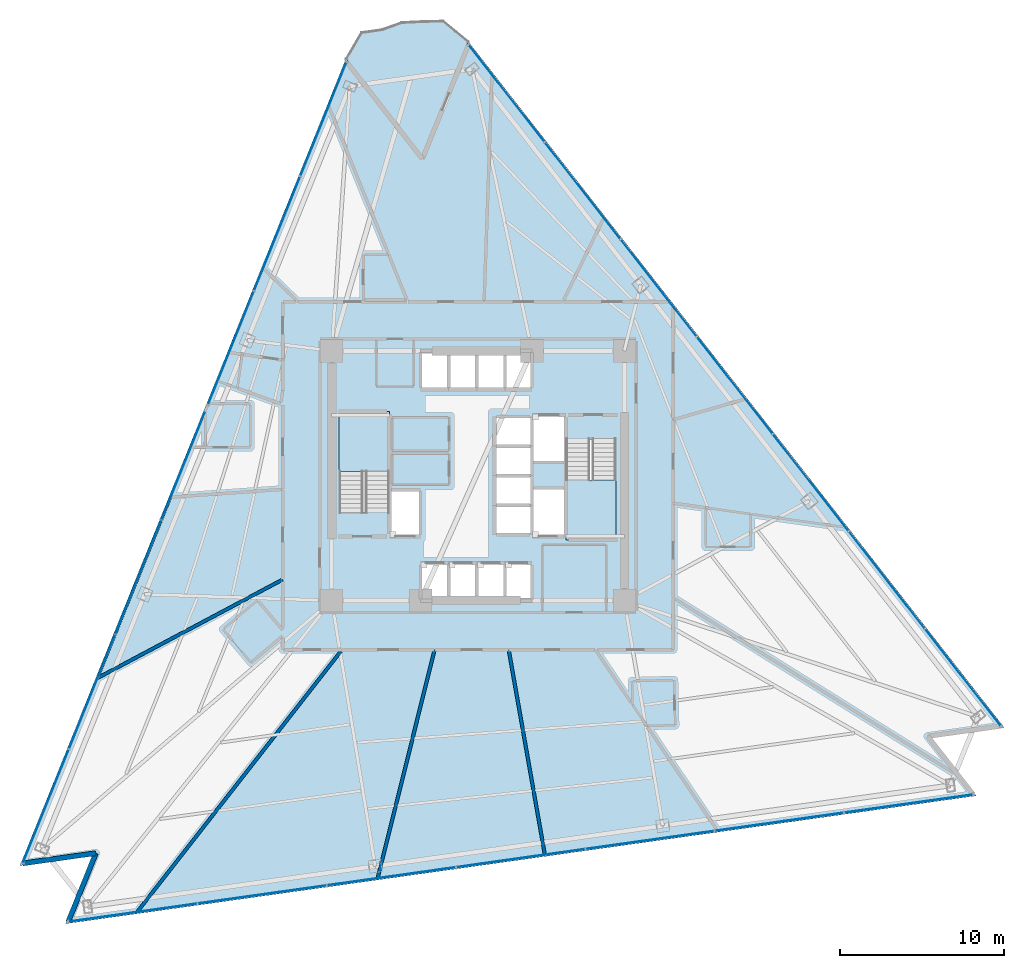
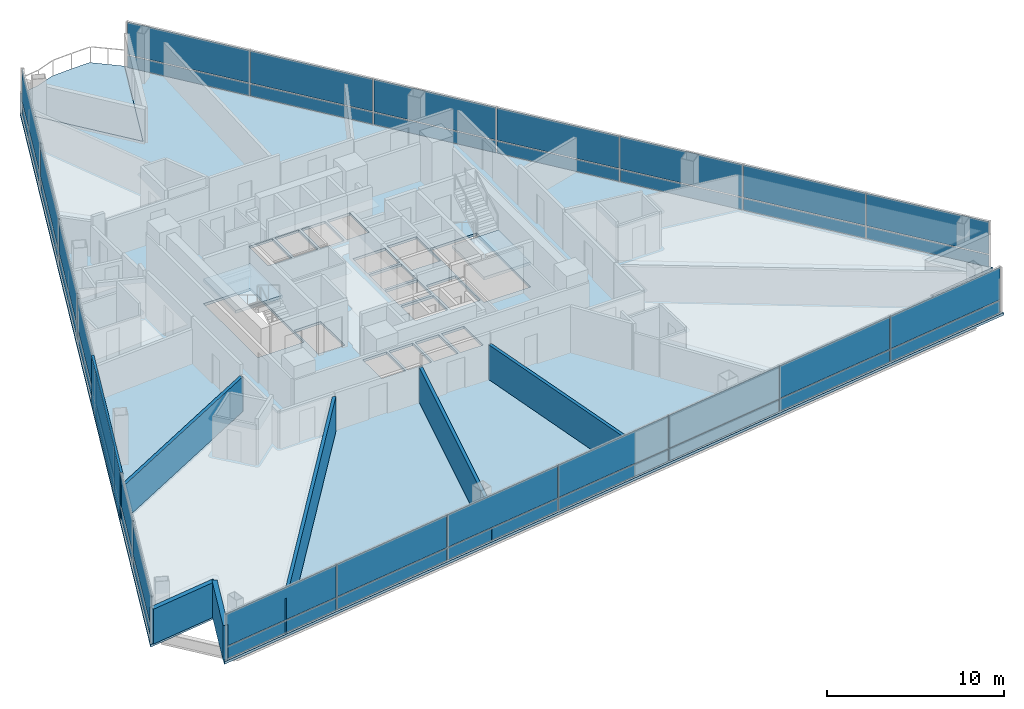
# One storey, part 6 of 15: 42 plates, 7 walls, 4 slabs, 5 elements without a shape of their own.
"""IFC4 building model written with IfcOpenShell, lengths in metres."""

from ifc_helpers import new_model, si_unit, direction, frame, frame_2d, origin, origin_2d, place, context, subcontext, project, spatial, polyline, rectangle, outline, extrude, material, layer, layer_set, type_object, element, aggregate, save


model = new_model("IFC4")

# Units and contexts
model_context = context("Model", 3, precision=1e-05, world=origin(), true_north=direction((0.0, 1.0)))
body_context = subcontext(model_context, "Body", "Model", "MODEL_VIEW")
ifc_project = project(units=[si_unit("LENGTHUNIT", "METRE"), si_unit("AREAUNIT", "SQUARE_METRE"), si_unit("VOLUMEUNIT", "CUBIC_METRE"), si_unit("PLANEANGLEUNIT", "RADIAN"), si_unit("MASSUNIT", "GRAM", prefix="KILO")], contexts=[model_context])

# Site, building, storey
site_placement = place(None, origin())
site = spatial("IfcSite", under=ifc_project, at=site_placement, CompositionType="ELEMENT")
building_placement = place(site_placement, origin())
building = spatial("IfcBuilding", under=site, at=building_placement, Name="Tharavind Bronze Gate", CompositionType="ELEMENT")
storey_placement = place(building_placement, frame((0.0, 0.0, 77.64990234375)))
storey = spatial("IfcBuildingStorey", under=building, at=storey_placement, Name="L19", CompositionType="ELEMENT", Elevation=77.64990234375)

# Curtain wall, plates
ifc_material_1 = material(Name="Anodised Bronze Aluminium", Category="aluminium")
ifc_layer_1 = layer(ifc_material_1, 0.219970703125)
ifc_layer_set_1 = layer_set([ifc_layer_1], Name="Anodised Bronze Aluminium")
curtain_wall_type = type_object("IfcCurtainWallType", Name="UNITISED CURTAIN WALL HOTEL", PredefinedType="USERDEFINED", material=ifc_layer_set_1)
curtain_wall_1_placement = place(storey_placement, origin())
curtain_wall_1 = element("IfcCurtainWall", 1, at=curtain_wall_1_placement, inside=storey, type_object=curtain_wall_type, Name="L19 unitised curtain wall hotel CW-L19-S1", ObjectType="UNITISED CURTAIN WALL", PredefinedType="USERDEFINED")
ifc_material_2 = material(Name="Patinated Bronze Alloy Sheet", Category="bronze")
ifc_layer_2 = layer(ifc_material_2, 0.01611328125)
ifc_layer_set_2 = layer_set([ifc_layer_2], Name="Patinated Bronze Alloy Sheet")
plate_type_1 = type_object("IfcPlateType", Name="BRONZE SPANDREL CLADDING PANEL 16", PredefinedType="CURTAIN_PANEL", material=ifc_layer_set_2)
plate_1_placement = place(storey_placement, frame((-9.408203125, 21.69921875, 0.0341796875), z_axis=(0.0, 0.0, 1.0), x_axis=(-0.374606593416, -0.927183854567, 0.0)))
plate_1 = element("IfcPlate", 2, at=plate_1_placement, type_object=plate_type_1, Name="CW-L19-S1 bronze spandrel panel 1", PredefinedType="CURTAIN_PANEL", context=body_context, shape_type="SweptSolid", body=[
    extrude(rectangle(XDim=7.447021484375, YDim=0.01611328125, at=origin_2d()), origin(), (0.0, 0.0, 1.0), 0.83203125),
])
plate_2_placement = place(storey_placement, frame((-12.223388671875, 14.731201171875, 0.0341796875), z_axis=(0.0, 0.0, 1.0), x_axis=(-0.374606593416, -0.927183854567, 0.0)))
plate_2 = element("IfcPlate", 3, at=plate_2_placement, type_object=plate_type_1, Name="CW-L19-S1 bronze spandrel panel 2", PredefinedType="CURTAIN_PANEL", context=body_context, shape_type="SweptSolid", body=[
    extrude(rectangle(XDim=7.447021484375, YDim=0.01611328125, at=origin_2d()), origin(), (0.0, 0.0, 1.0), 0.83203125),
])
plate_3_placement = place(storey_placement, frame((-15.038818359375, 7.763427734375, 0.0341796875), z_axis=(0.0, 0.0, 1.0), x_axis=(-0.374606593416, -0.927183854567, 0.0)))
plate_3 = element("IfcPlate", 4, at=plate_3_placement, type_object=plate_type_1, Name="CW-L19-S1 bronze spandrel panel 3", PredefinedType="CURTAIN_PANEL", context=body_context, shape_type="SweptSolid", body=[
    extrude(rectangle(XDim=7.447021484375, YDim=0.01611328125, at=origin_2d()), origin(), (0.0, 0.0, 1.0), 0.83203125),
])
plate_4_placement = place(storey_placement, frame((-17.85400390625, 0.795654296875, 0.0341796875), z_axis=(0.0, 0.0, 1.0), x_axis=(-0.374606593416, -0.927183854567, 0.0)))
plate_4 = element("IfcPlate", 5, at=plate_4_placement, type_object=plate_type_1, Name="CW-L19-S1 bronze spandrel panel 4", PredefinedType="CURTAIN_PANEL", context=body_context, shape_type="SweptSolid", body=[
    extrude(rectangle(XDim=7.447021484375, YDim=0.01611328125, at=origin_2d()), origin(), (0.0, 0.0, 1.0), 0.83203125),
])
plate_5_placement = place(storey_placement, frame((-20.669189453125, -6.17236328125, 0.0341796875), z_axis=(0.0, 0.0, 1.0), x_axis=(-0.374606593416, -0.927183854567, 0.0)))
plate_5 = element("IfcPlate", 6, at=plate_5_placement, type_object=plate_type_1, Name="CW-L19-S1 bronze spandrel panel 5", PredefinedType="CURTAIN_PANEL", context=body_context, shape_type="SweptSolid", body=[
    extrude(rectangle(XDim=7.447021484375, YDim=0.01611328125, at=origin_2d()), origin(), (0.0, 0.0, 1.0), 0.83203125),
])
plate_6_placement = place(storey_placement, frame((-23.484375, -13.14013671875, 0.0341796875), z_axis=(0.0, 0.0, 1.0), x_axis=(-0.374606593416, -0.927183854567, 0.0)))
plate_6 = element("IfcPlate", 7, at=plate_6_placement, type_object=plate_type_1, Name="CW-L19-S1 bronze spandrel panel 6", PredefinedType="CURTAIN_PANEL", context=body_context, shape_type="SweptSolid", body=[
    extrude(rectangle(XDim=7.447021484375, YDim=0.01611328125, at=origin_2d()), origin(), (0.0, 0.0, 1.0), 0.83203125),
])
plate_7_placement = place(storey_placement, frame((-26.299560546875, -20.10791015625, 0.0341796875), z_axis=(0.0, 0.0, 1.0), x_axis=(-0.374606593416, -0.927183854567, 0.0)))
plate_7 = element("IfcPlate", 8, at=plate_7_placement, type_object=plate_type_1, Name="CW-L19-S1 bronze spandrel panel 7", PredefinedType="CURTAIN_PANEL", context=body_context, shape_type="SweptSolid", body=[
    extrude(rectangle(XDim=7.447021484375, YDim=0.01611328125, at=origin_2d()), origin(), (0.0, 0.0, 1.0), 0.83203125),
])

curtain_wall_2_placement = place(storey_placement, origin())
curtain_wall_2 = element("IfcCurtainWall", 9, at=curtain_wall_2_placement, inside=storey, type_object=curtain_wall_type, Name="L19 unitised curtain wall hotel CW-L19-S2", ObjectType="UNITISED CURTAIN WALL", PredefinedType="USERDEFINED")
plate_8_placement = place(storey_placement, frame((-21.00341796875, -26.585205078125, 0.0341796875), z_axis=(0.0, 0.0, 1.0), x_axis=(0.990268068742, 0.13917310096, 0.0)))
plate_8 = element("IfcPlate", 10, at=plate_8_placement, type_object=plate_type_1, Name="CW-L19-S2 bronze spandrel panel 1", PredefinedType="CURTAIN_PANEL", context=body_context, shape_type="SweptSolid", body=[
    extrude(rectangle(XDim=7.87548828125, YDim=0.01611328125, at=origin_2d()), origin(), (0.0, 0.0, 1.0), 0.83203125),
])
plate_9_placement = place(storey_placement, frame((-13.13720703125, -25.4794921875, 0.0341796875), z_axis=(0.0, 0.0, 1.0), x_axis=(0.990268068742, 0.13917310096, 0.0)))
plate_9 = element("IfcPlate", 11, at=plate_9_placement, type_object=plate_type_1, Name="CW-L19-S2 bronze spandrel panel 2", PredefinedType="CURTAIN_PANEL", context=body_context, shape_type="SweptSolid", body=[
    extrude(rectangle(XDim=7.87548828125, YDim=0.01611328125, at=origin_2d()), origin(), (0.0, 0.0, 1.0), 0.83203125),
])
plate_10_placement = place(storey_placement, frame((-5.270751953125, -24.3740234375, 0.0341796875), z_axis=(0.0, 0.0, 1.0), x_axis=(0.990268068742, 0.13917310096, 0.0)))
plate_10 = element("IfcPlate", 12, at=plate_10_placement, type_object=plate_type_1, Name="CW-L19-S2 bronze spandrel panel 3", PredefinedType="CURTAIN_PANEL", context=body_context, shape_type="SweptSolid", body=[
    extrude(rectangle(XDim=7.87548828125, YDim=0.01611328125, at=origin_2d()), origin(), (0.0, 0.0, 1.0), 0.83203125),
])
plate_11_placement = place(storey_placement, frame((2.595703125, -23.2685546875, 0.0341796875), z_axis=(0.0, 0.0, 1.0), x_axis=(0.990268068742, 0.13917310096, 0.0)))
plate_11 = element("IfcPlate", 13, at=plate_11_placement, type_object=plate_type_1, Name="CW-L19-S2 bronze spandrel panel 4", PredefinedType="CURTAIN_PANEL", context=body_context, shape_type="SweptSolid", body=[
    extrude(rectangle(XDim=7.87548828125, YDim=0.01611328125, at=origin_2d()), origin(), (0.0, 0.0, 1.0), 0.83203125),
])
plate_12_placement = place(storey_placement, frame((10.4619140625, -22.1630859375, 0.0341796875), z_axis=(0.0, 0.0, 1.0), x_axis=(0.990268068742, 0.13917310096, 0.0)))
plate_12 = element("IfcPlate", 14, at=plate_12_placement, type_object=plate_type_1, Name="CW-L19-S2 bronze spandrel panel 5", PredefinedType="CURTAIN_PANEL", context=body_context, shape_type="SweptSolid", body=[
    extrude(rectangle(XDim=7.87548828125, YDim=0.01611328125, at=origin_2d()), origin(), (0.0, 0.0, 1.0), 0.83203125),
])
plate_13_placement = place(storey_placement, frame((18.328369140625, -21.057373046875, 0.0341796875), z_axis=(0.0, 0.0, 1.0), x_axis=(0.990268068742, 0.13917310096, 0.0)))
plate_13 = element("IfcPlate", 15, at=plate_13_placement, type_object=plate_type_1, Name="CW-L19-S2 bronze spandrel panel 6", PredefinedType="CURTAIN_PANEL", context=body_context, shape_type="SweptSolid", body=[
    extrude(rectangle(XDim=7.87548828125, YDim=0.01611328125, at=origin_2d()), origin(), (0.0, 0.0, 1.0), 0.83203125),
])
plate_14_placement = place(storey_placement, frame((26.194580078125, -19.951904296875, 0.0341796875), z_axis=(0.0, 0.0, 1.0), x_axis=(0.990268068742, 0.13917310096, 0.0)))
plate_14 = element("IfcPlate", 16, at=plate_14_placement, type_object=plate_type_1, Name="CW-L19-S2 bronze spandrel panel 7", PredefinedType="CURTAIN_PANEL", context=body_context, shape_type="SweptSolid", body=[
    extrude(rectangle(XDim=7.87548828125, YDim=0.01611328125, at=origin_2d()), origin(), (0.0, 0.0, 1.0), 0.83203125),
])

curtain_wall_3_placement = place(storey_placement, origin())
curtain_wall_3 = element("IfcCurtainWall", 17, at=curtain_wall_3_placement, inside=storey, type_object=curtain_wall_type, Name="L19 unitised curtain wall hotel CW-L19-S3", ObjectType="UNITISED CURTAIN WALL", PredefinedType="USERDEFINED")
plate_15_placement = place(storey_placement, frame((29.5, -12.265869140625, 0.0341796875), z_axis=(0.0, 0.0, 1.0), x_axis=(-0.615661475326, 0.788010753607, 0.0)))
plate_15 = element("IfcPlate", 18, at=plate_15_placement, type_object=plate_type_1, Name="CW-L19-S3 bronze spandrel panel 1", PredefinedType="CURTAIN_PANEL", context=body_context, shape_type="SweptSolid", body=[
    extrude(rectangle(XDim=7.447021484375, YDim=0.01611328125, at=origin_2d()), origin(), (0.0, 0.0, 1.0), 0.83203125),
])
plate_16_placement = place(storey_placement, frame((24.873291015625, -6.343994140625, 0.0341796875), z_axis=(0.0, 0.0, 1.0), x_axis=(-0.615661475326, 0.788010753607, 0.0)))
plate_16 = element("IfcPlate", 19, at=plate_16_placement, type_object=plate_type_1, Name="CW-L19-S3 bronze spandrel panel 2", PredefinedType="CURTAIN_PANEL", context=body_context, shape_type="SweptSolid", body=[
    extrude(rectangle(XDim=7.447021484375, YDim=0.01611328125, at=origin_2d()), origin(), (0.0, 0.0, 1.0), 0.83203125),
])
plate_17_placement = place(storey_placement, frame((20.24658203125, -0.421875, 0.0341796875), z_axis=(0.0, 0.0, 1.0), x_axis=(-0.615661475326, 0.788010753607, 0.0)))
plate_17 = element("IfcPlate", 20, at=plate_17_placement, type_object=plate_type_1, Name="CW-L19-S3 bronze spandrel panel 3", PredefinedType="CURTAIN_PANEL", context=body_context, shape_type="SweptSolid", body=[
    extrude(rectangle(XDim=7.447021484375, YDim=0.01611328125, at=origin_2d()), origin(), (0.0, 0.0, 1.0), 0.83203125),
])
plate_18_placement = place(storey_placement, frame((15.619873046875, 5.5, 0.0341796875), z_axis=(0.0, 0.0, 1.0), x_axis=(-0.615661475326, 0.788010753607, 0.0)))
plate_18 = element("IfcPlate", 21, at=plate_18_placement, type_object=plate_type_1, Name="CW-L19-S3 bronze spandrel panel 4", PredefinedType="CURTAIN_PANEL", context=body_context, shape_type="SweptSolid", body=[
    extrude(rectangle(XDim=7.447021484375, YDim=0.01611328125, at=origin_2d()), origin(), (0.0, 0.0, 1.0), 0.83203125),
])
plate_19_placement = place(storey_placement, frame((10.9931640625, 11.422119140625, 0.0341796875), z_axis=(0.0, 0.0, 1.0), x_axis=(-0.615661475326, 0.788010753607, 0.0)))
plate_19 = element("IfcPlate", 22, at=plate_19_placement, type_object=plate_type_1, Name="CW-L19-S3 bronze spandrel panel 5", PredefinedType="CURTAIN_PANEL", context=body_context, shape_type="SweptSolid", body=[
    extrude(rectangle(XDim=7.447021484375, YDim=0.01611328125, at=origin_2d()), origin(), (0.0, 0.0, 1.0), 0.83203125),
])
plate_20_placement = place(storey_placement, frame((6.366455078125, 17.343994140625, 0.0341796875), z_axis=(0.0, 0.0, 1.0), x_axis=(-0.615661475326, 0.788010753607, 0.0)))
plate_20 = element("IfcPlate", 23, at=plate_20_placement, type_object=plate_type_1, Name="CW-L19-S3 bronze spandrel panel 6", PredefinedType="CURTAIN_PANEL", context=body_context, shape_type="SweptSolid", body=[
    extrude(rectangle(XDim=7.447021484375, YDim=0.01611328125, at=origin_2d()), origin(), (0.0, 0.0, 1.0), 0.83203125),
])
plate_21_placement = place(storey_placement, frame((1.73974609375, 23.265869140625, 0.0341796875), z_axis=(0.0, 0.0, 1.0), x_axis=(-0.615661475326, 0.788010753607, 0.0)))
plate_21 = element("IfcPlate", 24, at=plate_21_placement, type_object=plate_type_1, Name="CW-L19-S3 bronze spandrel panel 7", PredefinedType="CURTAIN_PANEL", context=body_context, shape_type="SweptSolid", body=[
    extrude(rectangle(XDim=7.447021484375, YDim=0.01611328125, at=origin_2d()), origin(), (0.0, 0.0, 1.0), 0.83203125),
])

# Plate
ifc_material_3 = material(Name="Low-E Double Glazing", Category="glass")
ifc_layer_3 = layer(ifc_material_3, 0.031982421875)
ifc_layer_set_3 = layer_set([ifc_layer_3], Name="Low-E Double Glazing")
plate_type_2 = type_object("IfcPlateType", Name="DOUBLE GLAZED FACADE PANEL 32", PredefinedType="CURTAIN_PANEL", material=ifc_layer_set_3)
plate_22_placement = place(storey_placement, frame((-9.408203125, 21.69921875, 0.93408203125), z_axis=(0.0, 0.0, 1.0), x_axis=(-0.374606593416, -0.927183854567, 0.0)))
plate_22 = element("IfcPlate", 25, at=plate_22_placement, type_object=plate_type_2, Name="CW-L19-S1 vision glazing panel 1", PredefinedType="CURTAIN_PANEL", context=body_context, shape_type="SweptSolid", body=[
    extrude(rectangle(XDim=7.447021484375, YDim=0.031982421875, at=origin_2d()), origin(), (0.0, 0.0, 1.0), 2.241943359375),
])

plate_23_placement = place(storey_placement, frame((-12.223388671875, 14.731201171875, 0.93408203125), z_axis=(0.0, 0.0, 1.0), x_axis=(-0.374606593416, -0.927183854567, 0.0)))
plate_23 = element("IfcPlate", 26, at=plate_23_placement, type_object=plate_type_2, Name="CW-L19-S1 vision glazing panel 2", PredefinedType="CURTAIN_PANEL", context=body_context, shape_type="SweptSolid", body=[
    extrude(rectangle(XDim=7.447021484375, YDim=0.031982421875, at=origin_2d()), origin(), (0.0, 0.0, 1.0), 2.241943359375),
])

plate_24_placement = place(storey_placement, frame((-15.038818359375, 7.763427734375, 0.93408203125), z_axis=(0.0, 0.0, 1.0), x_axis=(-0.374606593416, -0.927183854567, 0.0)))
plate_24 = element("IfcPlate", 27, at=plate_24_placement, type_object=plate_type_2, Name="CW-L19-S1 vision glazing panel 3", PredefinedType="CURTAIN_PANEL", context=body_context, shape_type="SweptSolid", body=[
    extrude(rectangle(XDim=7.447021484375, YDim=0.031982421875, at=origin_2d()), origin(), (0.0, 0.0, 1.0), 2.241943359375),
])

plate_25_placement = place(storey_placement, frame((-17.85400390625, 0.795654296875, 0.93408203125), z_axis=(0.0, 0.0, 1.0), x_axis=(-0.374606593416, -0.927183854567, 0.0)))
plate_25 = element("IfcPlate", 28, at=plate_25_placement, type_object=plate_type_2, Name="CW-L19-S1 vision glazing panel 4", PredefinedType="CURTAIN_PANEL", context=body_context, shape_type="SweptSolid", body=[
    extrude(rectangle(XDim=7.447021484375, YDim=0.031982421875, at=origin_2d()), origin(), (0.0, 0.0, 1.0), 2.241943359375),
])

plate_26_placement = place(storey_placement, frame((-20.669189453125, -6.17236328125, 0.93408203125), z_axis=(0.0, 0.0, 1.0), x_axis=(-0.374606593416, -0.927183854567, 0.0)))
plate_26 = element("IfcPlate", 29, at=plate_26_placement, type_object=plate_type_2, Name="CW-L19-S1 vision glazing panel 5", PredefinedType="CURTAIN_PANEL", context=body_context, shape_type="SweptSolid", body=[
    extrude(rectangle(XDim=7.447021484375, YDim=0.031982421875, at=origin_2d()), origin(), (0.0, 0.0, 1.0), 2.241943359375),
])

plate_27_placement = place(storey_placement, frame((-23.484375, -13.14013671875, 0.93408203125), z_axis=(0.0, 0.0, 1.0), x_axis=(-0.374606593416, -0.927183854567, 0.0)))
plate_27 = element("IfcPlate", 30, at=plate_27_placement, type_object=plate_type_2, Name="CW-L19-S1 vision glazing panel 6", PredefinedType="CURTAIN_PANEL", context=body_context, shape_type="SweptSolid", body=[
    extrude(rectangle(XDim=7.447021484375, YDim=0.031982421875, at=origin_2d()), origin(), (0.0, 0.0, 1.0), 2.241943359375),
])

plate_28_placement = place(storey_placement, frame((-26.299560546875, -20.10791015625, 0.93408203125), z_axis=(0.0, 0.0, 1.0), x_axis=(-0.374606593416, -0.927183854567, 0.0)))
plate_28 = element("IfcPlate", 31, at=plate_28_placement, type_object=plate_type_2, Name="CW-L19-S1 vision glazing panel 7", PredefinedType="CURTAIN_PANEL", context=body_context, shape_type="SweptSolid", body=[
    extrude(rectangle(XDim=7.447021484375, YDim=0.031982421875, at=origin_2d()), origin(), (0.0, 0.0, 1.0), 2.241943359375),
])

aggregate(curtain_wall_1, [plate_1, plate_22, plate_2, plate_23, plate_3, plate_24, plate_4, plate_25, plate_5, plate_26, plate_6, plate_27, plate_7, plate_28])

plate_29_placement = place(storey_placement, frame((-21.00341796875, -26.585205078125, 0.93408203125), z_axis=(0.0, 0.0, 1.0), x_axis=(0.990268068742, 0.13917310096, 0.0)))
plate_29 = element("IfcPlate", 32, at=plate_29_placement, type_object=plate_type_2, Name="CW-L19-S2 vision glazing panel 1", PredefinedType="CURTAIN_PANEL", context=body_context, shape_type="SweptSolid", body=[
    extrude(rectangle(XDim=7.87548828125, YDim=0.031982421875, at=origin_2d()), origin(), (0.0, 0.0, 1.0), 2.241943359375),
])

plate_30_placement = place(storey_placement, frame((-13.13720703125, -25.4794921875, 0.93408203125), z_axis=(0.0, 0.0, 1.0), x_axis=(0.990268068742, 0.13917310096, 0.0)))
plate_30 = element("IfcPlate", 33, at=plate_30_placement, type_object=plate_type_2, Name="CW-L19-S2 vision glazing panel 2", PredefinedType="CURTAIN_PANEL", context=body_context, shape_type="SweptSolid", body=[
    extrude(rectangle(XDim=7.87548828125, YDim=0.031982421875, at=origin_2d()), origin(), (0.0, 0.0, 1.0), 2.241943359375),
])

plate_31_placement = place(storey_placement, frame((-5.270751953125, -24.3740234375, 0.93408203125), z_axis=(0.0, 0.0, 1.0), x_axis=(0.990268068742, 0.13917310096, 0.0)))
plate_31 = element("IfcPlate", 34, at=plate_31_placement, type_object=plate_type_2, Name="CW-L19-S2 vision glazing panel 3", PredefinedType="CURTAIN_PANEL", context=body_context, shape_type="SweptSolid", body=[
    extrude(rectangle(XDim=7.87548828125, YDim=0.031982421875, at=origin_2d()), origin(), (0.0, 0.0, 1.0), 2.241943359375),
])

plate_32_placement = place(storey_placement, frame((2.595703125, -23.2685546875, 0.93408203125), z_axis=(0.0, 0.0, 1.0), x_axis=(0.990268068742, 0.13917310096, 0.0)))
plate_32 = element("IfcPlate", 35, at=plate_32_placement, type_object=plate_type_2, Name="CW-L19-S2 vision glazing panel 4", PredefinedType="CURTAIN_PANEL", context=body_context, shape_type="SweptSolid", body=[
    extrude(rectangle(XDim=7.87548828125, YDim=0.031982421875, at=origin_2d()), origin(), (0.0, 0.0, 1.0), 2.241943359375),
])

plate_33_placement = place(storey_placement, frame((10.4619140625, -22.1630859375, 0.93408203125), z_axis=(0.0, 0.0, 1.0), x_axis=(0.990268068742, 0.13917310096, 0.0)))
plate_33 = element("IfcPlate", 36, at=plate_33_placement, type_object=plate_type_2, Name="CW-L19-S2 vision glazing panel 5", PredefinedType="CURTAIN_PANEL", context=body_context, shape_type="SweptSolid", body=[
    extrude(rectangle(XDim=7.87548828125, YDim=0.031982421875, at=origin_2d()), origin(), (0.0, 0.0, 1.0), 2.241943359375),
])

plate_34_placement = place(storey_placement, frame((18.328369140625, -21.057373046875, 0.93408203125), z_axis=(0.0, 0.0, 1.0), x_axis=(0.990268068742, 0.13917310096, 0.0)))
plate_34 = element("IfcPlate", 37, at=plate_34_placement, type_object=plate_type_2, Name="CW-L19-S2 vision glazing panel 6", PredefinedType="CURTAIN_PANEL", context=body_context, shape_type="SweptSolid", body=[
    extrude(rectangle(XDim=7.87548828125, YDim=0.031982421875, at=origin_2d()), origin(), (0.0, 0.0, 1.0), 2.241943359375),
])

plate_35_placement = place(storey_placement, frame((26.194580078125, -19.951904296875, 0.93408203125), z_axis=(0.0, 0.0, 1.0), x_axis=(0.990268068742, 0.13917310096, 0.0)))
plate_35 = element("IfcPlate", 38, at=plate_35_placement, type_object=plate_type_2, Name="CW-L19-S2 vision glazing panel 7", PredefinedType="CURTAIN_PANEL", context=body_context, shape_type="SweptSolid", body=[
    extrude(rectangle(XDim=7.87548828125, YDim=0.031982421875, at=origin_2d()), origin(), (0.0, 0.0, 1.0), 2.241943359375),
])

aggregate(curtain_wall_2, [plate_8, plate_29, plate_9, plate_30, plate_10, plate_31, plate_11, plate_32, plate_12, plate_33, plate_13, plate_34, plate_14, plate_35])

plate_36_placement = place(storey_placement, frame((29.5, -12.265869140625, 0.93408203125), z_axis=(0.0, 0.0, 1.0), x_axis=(-0.615661475326, 0.788010753607, 0.0)))
plate_36 = element("IfcPlate", 39, at=plate_36_placement, type_object=plate_type_2, Name="CW-L19-S3 vision glazing panel 1", PredefinedType="CURTAIN_PANEL", context=body_context, shape_type="SweptSolid", body=[
    extrude(rectangle(XDim=7.447021484375, YDim=0.031982421875, at=origin_2d()), origin(), (0.0, 0.0, 1.0), 2.241943359375),
])

plate_37_placement = place(storey_placement, frame((24.873291015625, -6.343994140625, 0.93408203125), z_axis=(0.0, 0.0, 1.0), x_axis=(-0.615661475326, 0.788010753607, 0.0)))
plate_37 = element("IfcPlate", 40, at=plate_37_placement, type_object=plate_type_2, Name="CW-L19-S3 vision glazing panel 2", PredefinedType="CURTAIN_PANEL", context=body_context, shape_type="SweptSolid", body=[
    extrude(rectangle(XDim=7.447021484375, YDim=0.031982421875, at=origin_2d()), origin(), (0.0, 0.0, 1.0), 2.241943359375),
])

plate_38_placement = place(storey_placement, frame((20.24658203125, -0.421875, 0.93408203125), z_axis=(0.0, 0.0, 1.0), x_axis=(-0.615661475326, 0.788010753607, 0.0)))
plate_38 = element("IfcPlate", 41, at=plate_38_placement, type_object=plate_type_2, Name="CW-L19-S3 vision glazing panel 3", PredefinedType="CURTAIN_PANEL", context=body_context, shape_type="SweptSolid", body=[
    extrude(rectangle(XDim=7.447021484375, YDim=0.031982421875, at=origin_2d()), origin(), (0.0, 0.0, 1.0), 2.241943359375),
])

plate_39_placement = place(storey_placement, frame((15.619873046875, 5.5, 0.93408203125), z_axis=(0.0, 0.0, 1.0), x_axis=(-0.615661475326, 0.788010753607, 0.0)))
plate_39 = element("IfcPlate", 42, at=plate_39_placement, type_object=plate_type_2, Name="CW-L19-S3 vision glazing panel 4", PredefinedType="CURTAIN_PANEL", context=body_context, shape_type="SweptSolid", body=[
    extrude(rectangle(XDim=7.447021484375, YDim=0.031982421875, at=origin_2d()), origin(), (0.0, 0.0, 1.0), 2.241943359375),
])

plate_40_placement = place(storey_placement, frame((10.9931640625, 11.422119140625, 0.93408203125), z_axis=(0.0, 0.0, 1.0), x_axis=(-0.615661475326, 0.788010753607, 0.0)))
plate_40 = element("IfcPlate", 43, at=plate_40_placement, type_object=plate_type_2, Name="CW-L19-S3 vision glazing panel 5", PredefinedType="CURTAIN_PANEL", context=body_context, shape_type="SweptSolid", body=[
    extrude(rectangle(XDim=7.447021484375, YDim=0.031982421875, at=origin_2d()), origin(), (0.0, 0.0, 1.0), 2.241943359375),
])

plate_41_placement = place(storey_placement, frame((6.366455078125, 17.343994140625, 0.93408203125), z_axis=(0.0, 0.0, 1.0), x_axis=(-0.615661475326, 0.788010753607, 0.0)))
plate_41 = element("IfcPlate", 44, at=plate_41_placement, type_object=plate_type_2, Name="CW-L19-S3 vision glazing panel 6", PredefinedType="CURTAIN_PANEL", context=body_context, shape_type="SweptSolid", body=[
    extrude(rectangle(XDim=7.447021484375, YDim=0.031982421875, at=origin_2d()), origin(), (0.0, 0.0, 1.0), 2.241943359375),
])

plate_42_placement = place(storey_placement, frame((1.73974609375, 23.265869140625, 0.93408203125), z_axis=(0.0, 0.0, 1.0), x_axis=(-0.615661475326, 0.788010753607, 0.0)))
plate_42 = element("IfcPlate", 45, at=plate_42_placement, type_object=plate_type_2, Name="CW-L19-S3 vision glazing panel 7", PredefinedType="CURTAIN_PANEL", context=body_context, shape_type="SweptSolid", body=[
    extrude(rectangle(XDim=7.447021484375, YDim=0.031982421875, at=origin_2d()), origin(), (0.0, 0.0, 1.0), 2.241943359375),
])

aggregate(curtain_wall_3, [plate_15, plate_36, plate_16, plate_37, plate_17, plate_38, plate_18, plate_39, plate_19, plate_40, plate_20, plate_41, plate_21, plate_42])

# Slab
ifc_material_4 = material(Name="Concrete C40/50", Category="concrete")
ifc_layer_4 = layer(ifc_material_4, 0.175048828125)
ifc_layer_set_4 = layer_set([ifc_layer_4], Name="Concrete C40/50")
slab_type_1 = type_object("IfcSlabType", Name="EXTERIOR BALCONY SLAB 175", PredefinedType="FLOOR", material=ifc_layer_set_4)
slab_1_placement = place(storey_placement, frame((0.0, 0.0, -0.1748046875)))
element("IfcSlab", 46, at=slab_1_placement, inside=storey, type_object=slab_type_1, Name="L19 northeast tree balcony slab", PredefinedType="FLOOR", context=body_context, shape_type="SweptSolid", body=[
    extrude(outline(polyline([(-2.13671875, 27.72412109375), (-3.39501953125, 27.6962890625), (-4.648681640625, 27.6337890625), (-5.85009765625, 27.2021484375), (-7.088134765625, 27.028076171875), (-8.028564453125, 25.381103515625), (-3.4111328125, 19.47119140625), (-0.6015625, 26.425048828125), (-2.13671875, 27.72412109375)])), origin(), (0.0, 0.0, 1.0), 0.1748046875),
])

# Stair, slab
stair_type = type_object("IfcStairType", Name="CORE HALF TURN STAIR 1450", PredefinedType="HALF_TURN_STAIR", material=ifc_material_4)
stair_1_placement = place(storey_placement, origin())
stair_1 = element("IfcStair", 47, at=stair_1_placement, inside=storey, type_object=stair_type, Name="L19 Protected Exit Stair ST1", PredefinedType="HALF_TURN_STAIR")
ifc_layer_5 = layer(ifc_material_4, 0.199951171875)
ifc_layer_set_5 = layer_set([ifc_layer_5], Name="Concrete C40/50")
slab_type_2 = type_object("IfcSlabType", Name="STAIR LANDING SLAB 200", PredefinedType="LANDING", material=ifc_layer_set_5)
slab_2_placement = place(storey_placement, frame((0.0, 0.0, 1.525146484375)))
slab_2 = element("IfcSlab", 48, at=slab_2_placement, type_object=slab_type_2, Name="ST1 landing 1", PredefinedType="LANDING", context=body_context, shape_type="SweptSolid", body=[
    extrude(outline(polyline([(-5.39990234375, 0.27001953125), (-5.39990234375, 3.89990234375), (-8.449951171875, 3.89990234375), (-8.449951171875, 0.27001953125), (-5.39990234375, 0.27001953125)])), origin(), (0.0, 0.0, 1.0), 0.199951171875),
])
aggregate(stair_1, [slab_2])

stair_2_placement = place(storey_placement, origin())
stair_2 = element("IfcStair", 49, at=stair_2_placement, inside=storey, type_object=stair_type, Name="L19 Protected Exit Stair ST2", PredefinedType="HALF_TURN_STAIR")
slab_3_placement = place(storey_placement, frame((0.0, 0.0, 1.525146484375)))
slab_3 = element("IfcSlab", 50, at=slab_3_placement, type_object=slab_type_2, Name="ST2 landing 1", PredefinedType="LANDING", context=body_context, shape_type="SweptSolid", body=[
    extrude(outline(polyline([(5.35009765625, -0.27001953125), (5.35009765625, -3.89990234375), (8.39990234375, -3.89990234375), (8.39990234375, -0.27001953125), (5.35009765625, -0.27001953125)])), origin(), (0.0, 0.0, 1.0), 0.199951171875),
])
aggregate(stair_2, [slab_3])

# Slab
ifc_layer_6 = layer(ifc_material_4, 0.175048828125)
ifc_layer_set_6 = layer_set([ifc_layer_6], Name="Concrete C40/50")
slab_type_3 = type_object("IfcSlabType", Name="STRUCTURAL FLOOR SLAB 175", PredefinedType="FLOOR", material=ifc_layer_set_6)
slab_4_placement = place(storey_placement, frame((0.0, 0.0, -0.1748046875)))
element("IfcSlab", 51, at=slab_4_placement, inside=storey, type_object=slab_type_3, Name="L19 main structural floor slab", PredefinedType="FLOOR", context=body_context, shape_type="SweptSolid", body=[
    extrude(outline(polyline([(-0.6015625, 26.425048828125), (-3.4111328125, 19.47119140625), (-8.028564453125, 25.381103515625), (-27.86474609375, -23.715087890625), (-23.408447265625, -23.088623046875), (-25.09423828125, -27.260986328125), (30.313232421875, -19.47412109375), (27.542724609375, -15.927978515625), (31.998779296875, -15.3017578125), (-0.6015625, 26.425048828125)]), holes=[polyline([(-5.39990234375, -2.215087890625), (-5.39990234375, 3.89990234375), (-8.449951171875, 3.89990234375), (-8.449951171875, -2.215087890625), (-5.39990234375, -2.215087890625)]), polyline([(5.35009765625, 2.215087890625), (5.35009765625, -3.89990234375), (8.39990234375, -3.89990234375), (8.39990234375, 2.215087890625), (5.35009765625, 2.215087890625)]), polyline([(-3.419921875, -7.52001953125), (-1.867431640625, -7.52001953125), (-1.867431640625, -5.3798828125), (-3.419921875, -5.3798828125), (-3.419921875, -7.52001953125)]), polyline([(-1.70751953125, -7.52001953125), (-0.155029296875, -7.52001953125), (-0.155029296875, -5.3798828125), (-1.70751953125, -5.3798828125), (-1.70751953125, -7.52001953125)]), polyline([(0.0048828125, -7.52001953125), (1.5576171875, -7.52001953125), (1.5576171875, -5.3798828125), (0.0048828125, -5.3798828125), (0.0048828125, -7.52001953125)]), polyline([(1.717529296875, -7.52001953125), (3.199951171875, -7.52001953125), (3.199951171875, -5.3798828125), (1.717529296875, -5.3798828125), (1.717529296875, -7.52001953125)]), polyline([(-3.419921875, 5.330078125), (-1.867431640625, 5.330078125), (-1.867431640625, 7.52001953125), (-3.419921875, 7.52001953125), (-3.419921875, 5.330078125)]), polyline([(-1.70751953125, 5.330078125), (-0.155029296875, 5.330078125), (-0.155029296875, 7.52001953125), (-1.70751953125, 7.52001953125), (-1.70751953125, 5.330078125)]), polyline([(0.0048828125, 5.330078125), (1.5576171875, 5.330078125), (1.5576171875, 7.52001953125), (0.0048828125, 7.52001953125), (0.0048828125, 5.330078125)]), polyline([(1.717529296875, 5.330078125), (3.199951171875, 5.330078125), (3.199951171875, 7.52001953125), (1.717529296875, 7.52001953125), (1.717529296875, 5.330078125)]), polyline([(1.080078125, -3.52001953125), (3.199951171875, -3.52001953125), (3.199951171875, -1.8798828125), (1.080078125, -1.8798828125), (1.080078125, -3.52001953125)]), polyline([(1.080078125, -1.719970703125), (3.199951171875, -1.719970703125), (3.199951171875, -0.080078125), (1.080078125, -0.080078125), (1.080078125, -1.719970703125)]), polyline([(1.080078125, 0.080078125), (3.199951171875, 0.080078125), (3.199951171875, 1.719970703125), (1.080078125, 1.719970703125), (1.080078125, 0.080078125)]), polyline([(1.080078125, 1.8798828125), (3.199951171875, 1.8798828125), (3.199951171875, 3.52001953125), (1.080078125, 3.52001953125), (1.080078125, 1.8798828125)]), polyline([(-5.320068359375, -3.6201171875), (-3.580078125, -3.6201171875), (-3.580078125, -0.929931640625), (-5.320068359375, -0.929931640625), (-5.320068359375, -3.6201171875)]), polyline([(3.360107421875, 0.8798828125), (5.27001953125, 0.8798828125), (5.27001953125, 3.6201171875), (3.360107421875, 3.6201171875), (3.360107421875, 0.8798828125)]), polyline([(3.360107421875, -3.6201171875), (5.27001953125, -3.6201171875), (5.27001953125, -0.830078125), (3.360107421875, -0.830078125), (3.360107421875, -3.6201171875)])]), origin(), (0.0, 0.0, 1.0), 0.1748046875),
])

# Walls
ifc_layer_7 = layer(ifc_material_4, 0.300048828125)
ifc_layer_set_7 = layer_set([ifc_layer_7], Name="Concrete C40/50")
wall_type_1 = type_object("IfcWallType", Name="EXTERIOR SPANDREL WALL 300", PredefinedType="STANDARD", material=ifc_layer_set_7)
wall_1_placement = place(storey_placement, frame((-27.70703125, -23.591796875, 0.0), z_axis=(0.0, 0.0, 1.0), x_axis=(0.990269200152, 0.139165050317, 0.0)))
element("IfcWall", 52, at=wall_1_placement, inside=storey, type_object=wall_type_1, Name="L19 notch cheek wall 2A", PredefinedType="STANDARD", context=body_context, shape_type="SweptSolid", body=[
    extrude(rectangle(XDim=4.499755859375, YDim=0.300048828125, at=frame_2d((2.25, 0.0))), origin(), (0.0, 0.0, 1.0), 2.405029296875),
])
wall_2_placement = place(storey_placement, frame((-23.2509765625, -22.965576171875, 0.0), z_axis=(0.0, 0.0, 1.0), x_axis=(-0.374568898324, -0.927199083481, 0.0)))
element("IfcWall", 53, at=wall_2_placement, inside=storey, type_object=wall_type_1, Name="L19 notch cheek wall 2B", PredefinedType="STANDARD", context=body_context, shape_type="SweptSolid", body=[
    extrude(rectangle(XDim=4.5, YDim=0.300048828125, at=frame_2d((2.25, 0.0))), origin(), (0.0, 0.0, 1.0), 2.405029296875),
])
ifc_material_5 = material(Name="Aerated Concrete Block", Category="concrete")
ifc_layer_8 = layer(ifc_material_5, 0.199951171875)
ifc_layer_set_8 = layer_set([ifc_layer_8], Name="Aerated Concrete Block")
wall_type_2 = type_object("IfcWallType", Name="FIRE RATED PARTITION 200", PredefinedType="PARTITIONING", material=ifc_layer_set_8)
wall_3_placement = place(storey_placement, frame((-11.893310546875, -6.32373046875, 0.0), z_axis=(0.0, 0.0, 1.0), x_axis=(-0.882946043117, -0.469474477416, 0.0)))
element("IfcWall", 54, at=wall_3_placement, inside=storey, type_object=wall_type_2, Name="L19 Public Restrooms Block partition", PredefinedType="PARTITIONING", context=body_context, shape_type="SweptSolid", body=[
    extrude(rectangle(XDim=12.7470703125, YDim=0.199951171875, at=frame_2d((6.37353515625, 0.0))), origin(), (0.0, 0.0, 1.0), 2.405029296875),
])
wall_4_placement = place(storey_placement, frame((4.062255859375, -23.0380859375, 0.0), z_axis=(0.0, 0.0, 1.0), x_axis=(-0.173658422676, 0.984805946486, 0.0)))
element("IfcWall", 55, at=wall_4_placement, inside=storey, type_object=wall_type_2, Name="L19 Public Restrooms Block partition", PredefinedType="PARTITIONING", context=body_context, shape_type="SweptSolid", body=[
    extrude(rectangle(XDim=12.620361328125, YDim=0.199951171875, at=frame_2d((6.31005859375, 0.0))), origin(), (0.0, 0.0, 1.0), 2.405029296875),
])
wall_5_placement = place(storey_placement, frame((-8.34814453125, -10.68505859375, 0.0), z_axis=(0.0, 0.0, 1.0), x_axis=(-0.615661230884, -0.788010944585, 0.0)))
element("IfcWall", 56, at=wall_5_placement, inside=storey, type_object=wall_type_2, Name="L19 Deluxe Hotel Suite partition", PredefinedType="PARTITIONING", context=body_context, shape_type="SweptSolid", body=[
    extrude(rectangle(XDim=20.12060546875, YDim=0.199951171875, at=frame_2d((10.060302734375, 0.0))), origin(), (0.0, 0.0, 1.0), 2.405029296875),
])
wall_6_placement = place(storey_placement, frame((-2.6455078125, -10.611083984375, 0.0), z_axis=(0.0, 0.0, 1.0), x_axis=(-0.241928502378, -0.970294078997, 0.0)))
element("IfcWall", 57, at=wall_6_placement, inside=storey, type_object=wall_type_2, Name="L19 Hotel Guest Lounge partition", PredefinedType="PARTITIONING", context=body_context, shape_type="SweptSolid", body=[
    extrude(rectangle(XDim=14.28857421875, YDim=0.199951171875, at=frame_2d((7.144287109375, 0.0))), origin(), (0.0, 0.0, 1.0), 2.405029296875),
])
ifc_material_6 = material(Name="Twin Stud Acoustic Gypsum", Category="gypsum")
ifc_layer_9 = layer(ifc_material_6, 0.14990234375)
ifc_layer_set_9 = layer_set([ifc_layer_9], Name="Twin Stud Acoustic Gypsum")
wall_type_3 = type_object("IfcWallType", Name="INTERIOR PARTITION WALL 150", PredefinedType="PARTITIONING", material=ifc_layer_set_9)
wall_7_placement = place(storey_placement, frame((-23.0869140625, -12.156494140625, 0.0), z_axis=(0.0, 0.0, 1.0), x_axis=(0.374605375648, 0.927184346576, 0.0)))
element("IfcWall", 58, at=wall_7_placement, inside=storey, type_object=wall_type_3, Name="L19 Public Restrooms Block partition", PredefinedType="PARTITIONING", context=body_context, shape_type="SweptSolid", body=[
    extrude(rectangle(XDim=11.684814453125, YDim=0.14990234375, at=frame_2d((5.84228515625, 0.0))), origin(), (0.0, 0.0, 1.0), 3.210205078125),
])

save(model, "model.ifc")
